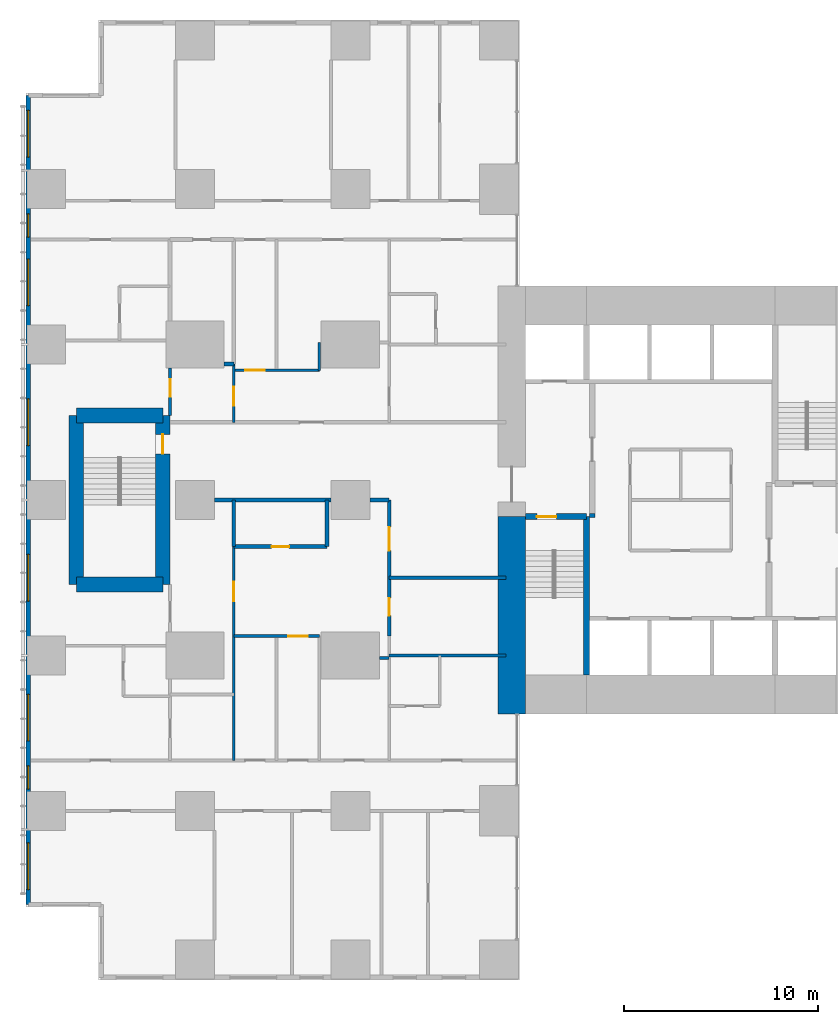
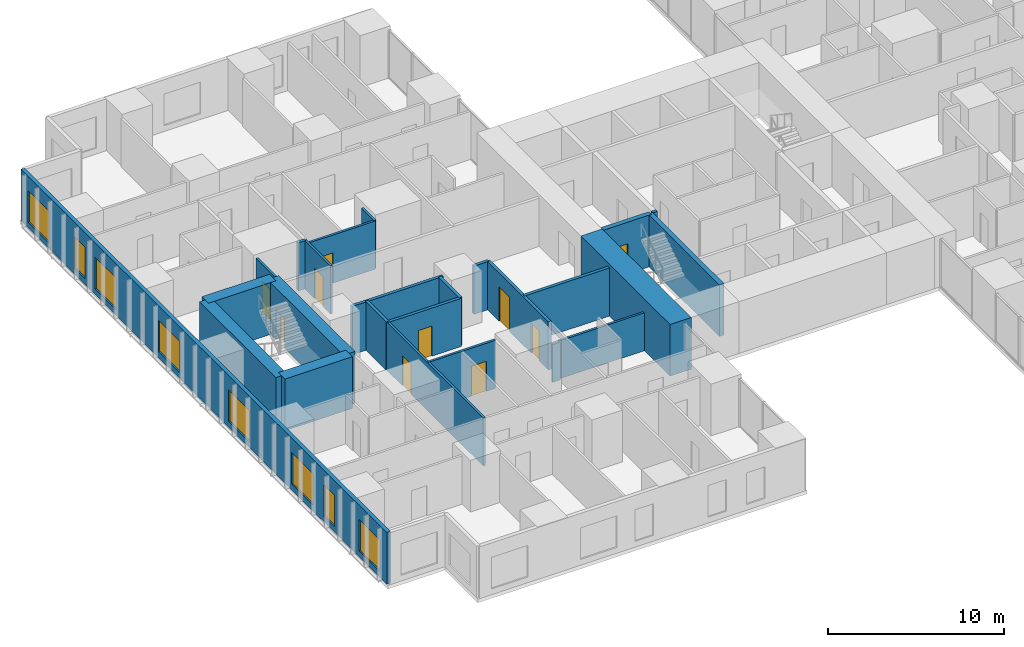
# One storey, part 13 of 20: 25 walls, 10 doors, 8 windows, 18 openings.
"""IFC4 building model written with IfcOpenShell, lengths in metres."""

from ifc_helpers import new_model, si_unit, direction, frame, frame_2d, origin, place, context, subcontext, project, spatial, rectangle, extrude, material, layer, layer_set, type_object, element, fill, save


model = new_model("IFC4")

# Units and contexts
model_context = context("Model", 3, precision=1e-05, world=origin(), true_north=direction((0.0, 1.0)))
body_context = subcontext(model_context, "Body", "Model", "MODEL_VIEW")
ifc_project = project(units=[si_unit("LENGTHUNIT", "METRE"), si_unit("AREAUNIT", "SQUARE_METRE"), si_unit("VOLUMEUNIT", "CUBIC_METRE"), si_unit("PLANEANGLEUNIT", "RADIAN"), si_unit("MASSUNIT", "GRAM", prefix="KILO")], contexts=[model_context])

# Site, building, storey
site_placement = place(None, origin())
site = spatial("IfcSite", under=ifc_project, at=site_placement, CompositionType="ELEMENT")
building_placement = place(site_placement, origin())
building = spatial("IfcBuilding", under=site, at=building_placement, Name="Cleftline Residences", CompositionType="ELEMENT")
storey_placement = place(building_placement, frame((0.0, 0.0, 135.800048828125)))
storey = spatial("IfcBuildingStorey", under=building, at=storey_placement, Name="L35", CompositionType="ELEMENT", Elevation=135.800048828125)

# Walls
ifc_material_1 = material(Name="Concrete B70", Category="concrete")
ifc_layer_1 = layer(ifc_material_1, 1.39990234375)
ifc_layer_set_1 = layer_set([ifc_layer_1], Name="CORE WALL 1400")
wall_type_1 = type_object("IfcWallType", Name="CORE WALL 1400", PredefinedType="SHEAR", material=ifc_layer_set_1)
wall_1_placement = place(storey_placement, frame((24.300048828125, 13.0, 0.0), z_axis=(0.0, 0.0, 1.0), x_axis=(0.0, 1.0, 0.0)))
element("IfcWall", 1, at=wall_1_placement, inside=storey, type_object=wall_type_1, Name="Core wall W0", PredefinedType="SHEAR", context=body_context, shape_type="SweptSolid", body=[
    extrude(rectangle(XDim=10.14990234375, YDim=1.39990234375, at=frame_2d((5.074951171875, 0.0))), origin(), (0.0, 0.0, 1.0), 3.599853515625),
])
ifc_material_2 = material(Name="Concrete B70", Category="concrete")
ifc_layer_2 = layer(ifc_material_2, 0.300048828125)
ifc_layer_set_2 = layer_set([ifc_layer_2], Name="CORE WALL 300")
wall_type_2 = type_object("IfcWallType", Name="CORE WALL 300", PredefinedType="SHEAR", material=ifc_layer_set_2)
wall_2_placement = place(storey_placement, frame((28.14990234375, 15.0, 0.0), z_axis=(0.0, 0.0, 1.0), x_axis=(0.0, 1.0, 0.0)))
element("IfcWall", 2, at=wall_2_placement, inside=storey, type_object=wall_type_2, Name="Core wall SA-E", PredefinedType="SHEAR", context=body_context, shape_type="SweptSolid", body=[
    extrude(rectangle(XDim=8.14990234375, YDim=0.300048828125, at=frame_2d((4.074951171875, 0.0))), origin(), (0.0, 0.0, 1.0), 3.599853515625),
])

# Wall, opening, door
wall_3_placement = place(storey_placement, frame((25.0, 23.14990234375, 0.0), z_axis=(0.0, 0.0, 1.0), x_axis=(1.0, 0.0, 0.0)))
wall_3 = element("IfcWall", 3, at=wall_3_placement, inside=storey, type_object=wall_type_2, Name="Core wall SA-N", PredefinedType="SHEAR", context=body_context, shape_type="SweptSolid", body=[
    extrude(rectangle(XDim=3.14990234375, YDim=0.300048828125, at=frame_2d((1.574951171875, 0.0))), origin(), (0.0, 0.0, 1.0), 3.599853515625),
])
opening_1_placement = place(wall_3_placement, frame((0.60009765625, 0.0, 0.0)))
opening_1 = element("IfcOpeningElement", 4, at=opening_1_placement, cuts=wall_3, Name="Opening D5", PredefinedType="OPENING", context=body_context, shape_type="SweptSolid", body=[
    extrude(rectangle(XDim=1.0, YDim=2.10009765625, at=frame_2d((0.5, 1.050048828125))), frame((0.0, 0.159912109375, 0.0), z_axis=(0.0, -1.0, 0.0), x_axis=(1.0, 0.0, 0.0)), (0.0, 0.0, 1.0), 0.320068359375),
])
ifc_material_3 = material(Name="Steel", Category="steel")
door_type_1 = type_object("IfcDoorType", Name="STAIR DOOR 1000X2100", OperationType="SINGLE_SWING_LEFT", PredefinedType="DOOR", material=ifc_material_3)
door_1_placement = place(opening_1_placement, origin())
door_1 = element("IfcDoor", 5, at=door_1_placement, inside=storey, type_object=door_type_1, Name="Stair A door", OperationType="SINGLE_SWING_RIGHT", OverallHeight=2.10009765625, OverallWidth=1.0, PredefinedType="DOOR", context=body_context, shape_type="SweptSolid", body=[
    extrude(rectangle(XDim=1.0, YDim=2.10009765625, at=frame_2d((0.5, 1.050048828125))), frame((0.0, 0.02490234375, 0.0), z_axis=(0.0, -1.0, 0.0), x_axis=(1.0, 0.0, 0.0)), (0.0, 0.0, 1.0), 0.050048828125),
])
fill(opening_1, door_1)

# Wall, openings, windows
ifc_material_4 = material(Name="Rendered reinforced concrete blockwork", Category="masonry")
ifc_layer_3 = layer(ifc_material_4, 0.25)
ifc_layer_set_3 = layer_set([ifc_layer_3], Name="EXTERNAL WALL 250")
wall_type_3 = type_object("IfcWallType", Name="EXTERNAL WALL 250", PredefinedType="SOLIDWALL", material=ifc_layer_set_3)
wall_4_placement = place(storey_placement, frame((-0.574951171875, 44.824951171875, 0.0), z_axis=(0.0, 0.0, 1.0), x_axis=(0.0, -1.0, 0.0)))
wall_4 = element("IfcWall", 6, at=wall_4_placement, inside=storey, type_object=wall_type_3, Name="External wall", PredefinedType="SOLIDWALL", context=body_context, shape_type="SweptSolid", body=[
    extrude(rectangle(XDim=41.64990234375, YDim=0.25, at=frame_2d((20.824951171875, 0.0))), origin(), (0.0, 0.0, 1.0), 3.599853515625),
])
opening_2_placement = place(wall_4_placement, frame((0.77490234375, 0.0, 0.39990234375)))
opening_2 = element("IfcOpeningElement", 7, at=opening_2_placement, cuts=wall_4, Name="Opening W12", PredefinedType="OPENING", context=body_context, shape_type="SweptSolid", body=[
    extrude(rectangle(XDim=2.39990234375, YDim=2.199951171875, at=frame_2d((1.199951171875, 1.10009765625))), frame((0.0, 0.135009765625, 0.0), z_axis=(0.0, -1.0, 0.0), x_axis=(1.0, 0.0, 0.0)), (0.0, 0.0, 1.0), 0.27001953125),
])
opening_3_placement = place(wall_4_placement, frame((6.10009765625, 0.0, 0.39990234375)))
opening_3 = element("IfcOpeningElement", 8, at=opening_3_placement, cuts=wall_4, Name="Opening W11", PredefinedType="OPENING", context=body_context, shape_type="SweptSolid", body=[
    extrude(rectangle(XDim=1.199951171875, YDim=2.199951171875, at=frame_2d((0.60009765625, 1.10009765625))), frame((0.0, 0.135009765625, 0.0), z_axis=(0.0, -1.0, 0.0), x_axis=(1.0, 0.0, 0.0)), (0.0, 0.0, 1.0), 0.27001953125),
])
opening_4_placement = place(wall_4_placement, frame((8.425048828125, 0.0, 0.39990234375)))
opening_4 = element("IfcOpeningElement", 9, at=opening_4_placement, cuts=wall_4, Name="Opening W12", PredefinedType="OPENING", context=body_context, shape_type="SweptSolid", body=[
    extrude(rectangle(XDim=2.39990234375, YDim=2.199951171875, at=frame_2d((1.199951171875, 1.10009765625))), frame((0.0, 0.135009765625, 0.0), z_axis=(0.0, -1.0, 0.0), x_axis=(1.0, 0.0, 0.0)), (0.0, 0.0, 1.0), 0.27001953125),
])
opening_5_placement = place(wall_4_placement, frame((15.625, 0.0, 0.39990234375)))
opening_5 = element("IfcOpeningElement", 10, at=opening_5_placement, cuts=wall_4, Name="Opening W12", PredefinedType="OPENING", context=body_context, shape_type="SweptSolid", body=[
    extrude(rectangle(XDim=2.39990234375, YDim=2.199951171875, at=frame_2d((1.199951171875, 1.10009765625))), frame((0.0, 0.135009765625, 0.0), z_axis=(0.0, -1.0, 0.0), x_axis=(1.0, 0.0, 0.0)), (0.0, 0.0, 1.0), 0.27001953125),
])
opening_6_placement = place(wall_4_placement, frame((23.625, 0.0, 0.39990234375)))
opening_6 = element("IfcOpeningElement", 11, at=opening_6_placement, cuts=wall_4, Name="Opening W12", PredefinedType="OPENING", context=body_context, shape_type="SweptSolid", body=[
    extrude(rectangle(XDim=2.39990234375, YDim=2.199951171875, at=frame_2d((1.199951171875, 1.10009765625))), frame((0.0, 0.135009765625, 0.0), z_axis=(0.0, -1.0, 0.0), x_axis=(1.0, 0.0, 0.0)), (0.0, 0.0, 1.0), 0.27001953125),
])
opening_7_placement = place(wall_4_placement, frame((30.824951171875, 0.0, 0.39990234375)))
opening_7 = element("IfcOpeningElement", 12, at=opening_7_placement, cuts=wall_4, Name="Opening W12", PredefinedType="OPENING", context=body_context, shape_type="SweptSolid", body=[
    extrude(rectangle(XDim=2.39990234375, YDim=2.199951171875, at=frame_2d((1.199951171875, 1.10009765625))), frame((0.0, 0.135009765625, 0.0), z_axis=(0.0, -1.0, 0.0), x_axis=(1.0, 0.0, 0.0)), (0.0, 0.0, 1.0), 0.27001953125),
])
opening_8_placement = place(wall_4_placement, frame((34.5, 0.0, 0.39990234375)))
opening_8 = element("IfcOpeningElement", 13, at=opening_8_placement, cuts=wall_4, Name="Opening W11", PredefinedType="OPENING", context=body_context, shape_type="SweptSolid", body=[
    extrude(rectangle(XDim=1.199951171875, YDim=2.199951171875, at=frame_2d((0.60009765625, 1.10009765625))), frame((0.0, 0.135009765625, 0.0), z_axis=(0.0, -1.0, 0.0), x_axis=(1.0, 0.0, 0.0)), (0.0, 0.0, 1.0), 0.27001953125),
])
opening_9_placement = place(wall_4_placement, frame((38.47509765625, 0.0, 0.39990234375)))
opening_9 = element("IfcOpeningElement", 14, at=opening_9_placement, cuts=wall_4, Name="Opening W12", PredefinedType="OPENING", context=body_context, shape_type="SweptSolid", body=[
    extrude(rectangle(XDim=2.39990234375, YDim=2.199951171875, at=frame_2d((1.199951171875, 1.10009765625))), frame((0.0, 0.135009765625, 0.0), z_axis=(0.0, -1.0, 0.0), x_axis=(1.0, 0.0, 0.0)), (0.0, 0.0, 1.0), 0.27001953125),
])
ifc_material_5 = material(Name="Aluminium frame, clear double glazing", Category="aluminium")
window_type_1 = type_object("IfcWindowType", Name="WINDOW 1200X2200", PartitioningType="DOUBLE_PANEL_VERTICAL", PredefinedType="WINDOW", material=ifc_material_5)
window_1_placement = place(opening_3_placement, origin())
window_1 = element("IfcWindow", 15, at=window_1_placement, inside=storey, type_object=window_type_1, Name="Window", OverallHeight=2.199951171875, OverallWidth=1.199951171875, PartitioningType="SINGLE_PANEL", PredefinedType="WINDOW", context=body_context, shape_type="SweptSolid", body=[
    extrude(rectangle(XDim=1.199951171875, YDim=2.199951171875, at=frame_2d((0.60009765625, 1.10009765625))), frame((0.0, 0.030029296875, 0.0), z_axis=(0.0, -1.0, 0.0), x_axis=(1.0, 0.0, 0.0)), (0.0, 0.0, 1.0), 0.06005859375),
])
fill(opening_3, window_1)
window_2_placement = place(opening_8_placement, origin())
window_2 = element("IfcWindow", 16, at=window_2_placement, inside=storey, type_object=window_type_1, Name="Window", OverallHeight=2.199951171875, OverallWidth=1.199951171875, PartitioningType="SINGLE_PANEL", PredefinedType="WINDOW", context=body_context, shape_type="SweptSolid", body=[
    extrude(rectangle(XDim=1.199951171875, YDim=2.199951171875, at=frame_2d((0.60009765625, 1.10009765625))), frame((0.0, 0.030029296875, 0.0), z_axis=(0.0, -1.0, 0.0), x_axis=(1.0, 0.0, 0.0)), (0.0, 0.0, 1.0), 0.06005859375),
])
fill(opening_8, window_2)
ifc_material_6 = material(Name="Aluminium frame, clear double glazing", Category="aluminium")
window_type_2 = type_object("IfcWindowType", Name="WINDOW 2400X2200", PartitioningType="DOUBLE_PANEL_VERTICAL", PredefinedType="WINDOW", material=ifc_material_6)
window_3_placement = place(opening_2_placement, origin())
window_3 = element("IfcWindow", 17, at=window_3_placement, inside=storey, type_object=window_type_2, Name="Window", OverallHeight=2.199951171875, OverallWidth=2.39990234375, PartitioningType="SINGLE_PANEL", PredefinedType="WINDOW", context=body_context, shape_type="SweptSolid", body=[
    extrude(rectangle(XDim=2.39990234375, YDim=2.199951171875, at=frame_2d((1.199951171875, 1.10009765625))), frame((0.0, 0.030029296875, 0.0), z_axis=(0.0, -1.0, 0.0), x_axis=(1.0, 0.0, 0.0)), (0.0, 0.0, 1.0), 0.06005859375),
])
fill(opening_2, window_3)
window_4_placement = place(opening_4_placement, origin())
window_4 = element("IfcWindow", 18, at=window_4_placement, inside=storey, type_object=window_type_2, Name="Window", OverallHeight=2.199951171875, OverallWidth=2.39990234375, PartitioningType="SINGLE_PANEL", PredefinedType="WINDOW", context=body_context, shape_type="SweptSolid", body=[
    extrude(rectangle(XDim=2.39990234375, YDim=2.199951171875, at=frame_2d((1.199951171875, 1.10009765625))), frame((0.0, 0.030029296875, 0.0), z_axis=(0.0, -1.0, 0.0), x_axis=(1.0, 0.0, 0.0)), (0.0, 0.0, 1.0), 0.06005859375),
])
fill(opening_4, window_4)
window_5_placement = place(opening_5_placement, origin())
window_5 = element("IfcWindow", 19, at=window_5_placement, inside=storey, type_object=window_type_2, Name="Window", OverallHeight=2.199951171875, OverallWidth=2.39990234375, PartitioningType="SINGLE_PANEL", PredefinedType="WINDOW", context=body_context, shape_type="SweptSolid", body=[
    extrude(rectangle(XDim=2.39990234375, YDim=2.199951171875, at=frame_2d((1.199951171875, 1.10009765625))), frame((0.0, 0.030029296875, 0.0), z_axis=(0.0, -1.0, 0.0), x_axis=(1.0, 0.0, 0.0)), (0.0, 0.0, 1.0), 0.06005859375),
])
fill(opening_5, window_5)
window_6_placement = place(opening_6_placement, origin())
window_6 = element("IfcWindow", 20, at=window_6_placement, inside=storey, type_object=window_type_2, Name="Window", OverallHeight=2.199951171875, OverallWidth=2.39990234375, PartitioningType="SINGLE_PANEL", PredefinedType="WINDOW", context=body_context, shape_type="SweptSolid", body=[
    extrude(rectangle(XDim=2.39990234375, YDim=2.199951171875, at=frame_2d((1.199951171875, 1.10009765625))), frame((0.0, 0.030029296875, 0.0), z_axis=(0.0, -1.0, 0.0), x_axis=(1.0, 0.0, 0.0)), (0.0, 0.0, 1.0), 0.06005859375),
])
fill(opening_6, window_6)
window_7_placement = place(opening_7_placement, origin())
window_7 = element("IfcWindow", 21, at=window_7_placement, inside=storey, type_object=window_type_2, Name="Window", OverallHeight=2.199951171875, OverallWidth=2.39990234375, PartitioningType="SINGLE_PANEL", PredefinedType="WINDOW", context=body_context, shape_type="SweptSolid", body=[
    extrude(rectangle(XDim=2.39990234375, YDim=2.199951171875, at=frame_2d((1.199951171875, 1.10009765625))), frame((0.0, 0.030029296875, 0.0), z_axis=(0.0, -1.0, 0.0), x_axis=(1.0, 0.0, 0.0)), (0.0, 0.0, 1.0), 0.06005859375),
])
fill(opening_7, window_7)
window_8_placement = place(opening_9_placement, origin())
window_8 = element("IfcWindow", 22, at=window_8_placement, inside=storey, type_object=window_type_2, Name="Window", OverallHeight=2.199951171875, OverallWidth=2.39990234375, PartitioningType="SINGLE_PANEL", PredefinedType="WINDOW", context=body_context, shape_type="SweptSolid", body=[
    extrude(rectangle(XDim=2.39990234375, YDim=2.199951171875, at=frame_2d((1.199951171875, 1.10009765625))), frame((0.0, 0.030029296875, 0.0), z_axis=(0.0, -1.0, 0.0), x_axis=(1.0, 0.0, 0.0)), (0.0, 0.0, 1.0), 0.06005859375),
])
fill(opening_9, window_8)

# Wall
ifc_material_7 = material(Name="Concrete blockwork, fire rated", Category="masonry")
ifc_layer_4 = layer(ifc_material_7, 0.199951171875)
ifc_layer_set_4 = layer_set([ifc_layer_4], Name="FIRE WALL 200")
wall_type_4 = type_object("IfcWallType", Name="FIRE WALL 200", PredefinedType="PARTITIONING", material=ifc_layer_set_4)
wall_5_placement = place(storey_placement, frame((18.0, 20.0, 0.0), z_axis=(0.0, 0.0, 1.0), x_axis=(1.0, 0.0, 0.0)))
element("IfcWall", 23, at=wall_5_placement, inside=storey, type_object=wall_type_4, Name="Fire separating wall", PredefinedType="PARTITIONING", context=body_context, shape_type="SweptSolid", body=[
    extrude(rectangle(XDim=6.0, YDim=0.199951171875, at=frame_2d((3.0, 0.0))), origin(), (0.0, 0.0, 1.0), 3.349853515625),
])

# Wall, opening, door
wall_6_placement = place(storey_placement, frame((10.0, 21.60009765625, 0.0), z_axis=(0.0, 0.0, 1.0), x_axis=(1.0, 0.0, 0.0)))
wall_6 = element("IfcWall", 24, at=wall_6_placement, inside=storey, type_object=wall_type_4, Name="Fire separating wall", PredefinedType="PARTITIONING", context=body_context, shape_type="SweptSolid", body=[
    extrude(rectangle(XDim=4.800048828125, YDim=0.199951171875, at=frame_2d((2.39990234375, 0.0))), origin(), (0.0, 0.0, 1.0), 3.349853515625),
])
opening_10_placement = place(wall_6_placement, frame((1.949951171875, 0.0, 0.0)))
opening_10 = element("IfcOpeningElement", 25, at=opening_10_placement, cuts=wall_6, Name="Opening D1F30", PredefinedType="OPENING", context=body_context, shape_type="SweptSolid", body=[
    extrude(rectangle(XDim=0.89990234375, YDim=2.10009765625, at=frame_2d((0.449951171875, 1.050048828125))), frame((0.0, 0.10986328125, 0.0), z_axis=(0.0, -1.0, 0.0), x_axis=(1.0, 0.0, 0.0)), (0.0, 0.0, 1.0), 0.219970703125),
])
ifc_material_8 = material(Name="Timber veneer on solid core", Category="wood")
door_type_2 = type_object("IfcDoorType", Name="DOOR 900X2100 EI 30", OperationType="SINGLE_SWING_LEFT", PredefinedType="DOOR", material=ifc_material_8)
door_2_placement = place(opening_10_placement, origin())
door_2 = element("IfcDoor", 26, at=door_2_placement, inside=storey, type_object=door_type_2, Name="Door to cloakroom wc", OperationType="SINGLE_SWING_LEFT", OverallHeight=2.10009765625, OverallWidth=0.89990234375, PredefinedType="DOOR", context=body_context, shape_type="SweptSolid", body=[
    extrude(rectangle(XDim=0.89990234375, YDim=2.10009765625, at=frame_2d((0.449951171875, 1.050048828125))), frame((0.0, 0.02490234375, 0.0), z_axis=(0.0, -1.0, 0.0), x_axis=(1.0, 0.0, 0.0)), (0.0, 0.0, 1.0), 0.050048828125),
])
fill(opening_10, door_2)

# Walls
wall_7_placement = place(storey_placement, frame((9.0, 24.0, 0.0), z_axis=(0.0, 0.0, 1.0), x_axis=(1.0, 0.0, 0.0)))
element("IfcWall", 27, at=wall_7_placement, inside=storey, type_object=wall_type_4, Name="Fire separating wall", PredefinedType="PARTITIONING", context=body_context, shape_type="SweptSolid", body=[
    extrude(rectangle(XDim=6.0, YDim=0.199951171875, at=frame_2d((3.0, 0.0))), origin(), (0.0, 0.0, 1.0), 3.349853515625),
])
wall_8_placement = place(storey_placement, frame((17.0, 24.0, 0.0), z_axis=(0.0, 0.0, 1.0), x_axis=(1.0, 0.0, 0.0)))
element("IfcWall", 28, at=wall_8_placement, inside=storey, type_object=wall_type_4, Name="Fire separating wall", PredefinedType="PARTITIONING", context=body_context, shape_type="SweptSolid", body=[
    extrude(rectangle(XDim=1.0, YDim=0.199951171875, at=frame_2d((0.5, 0.0))), origin(), (0.0, 0.0, 1.0), 3.349853515625),
])
wall_9_placement = place(storey_placement, frame((9.5, 31.0, 0.0), z_axis=(0.0, 0.0, 1.0), x_axis=(1.0, 0.0, 0.0)))
element("IfcWall", 29, at=wall_9_placement, inside=storey, type_object=wall_type_4, Name="Fire separating wall", PredefinedType="PARTITIONING", context=body_context, shape_type="SweptSolid", body=[
    extrude(rectangle(XDim=0.5, YDim=0.199951171875, at=frame_2d((0.25, 0.0))), origin(), (0.0, 0.0, 1.0), 3.349853515625),
])
for number, where, z_axis, x_axis, name in (
    (30, (10.0, 21.60009765625, 0.0), (0.0, 0.0, 1.0), (0.0, 1.0, 0.0), "Fire separating wall"),
    (31, (14.800048828125, 21.60009765625, 0.0), (0.0, 0.0, 1.0), (0.0, 1.0, 0.0), "Fire separating wall"),
):
    element("IfcWall", number, at=place(storey_placement, frame(where, z_axis=z_axis, x_axis=x_axis)), inside=storey, type_object=wall_type_4, Name=name, PredefinedType="PARTITIONING", context=body_context, shape_type="SweptSolid", body=[
        extrude(rectangle(XDim=2.39990234375, YDim=0.199951171875, at=frame_2d((1.199951171875, 0.0))), origin(), (0.0, 0.0, 1.0), 3.349853515625),
    ])

# Wall, openings, doors
wall_10_placement = place(storey_placement, frame((18.0, 17.0, 0.0), z_axis=(0.0, 0.0, 1.0), x_axis=(0.0, 1.0, 0.0)))
wall_10 = element("IfcWall", 32, at=wall_10_placement, inside=storey, type_object=wall_type_4, Name="Fire separating wall", PredefinedType="PARTITIONING", context=body_context, shape_type="SweptSolid", body=[
    extrude(rectangle(XDim=7.0, YDim=0.199951171875, at=frame_2d((3.5, 0.0))), origin(), (0.0, 0.0, 1.0), 3.349853515625),
])
opening_11_placement = place(wall_10_placement, frame((4.39990234375, 0.0, 0.0)))
opening_11 = element("IfcOpeningElement", 33, at=opening_11_placement, cuts=wall_10, Name="Opening D4", PredefinedType="OPENING", context=body_context, shape_type="SweptSolid", body=[
    extrude(rectangle(XDim=1.199951171875, YDim=2.39990234375, at=frame_2d((0.60009765625, 1.199951171875))), frame((0.0, 0.10986328125, 0.0), z_axis=(0.0, -1.0, 0.0), x_axis=(1.0, 0.0, 0.0)), (0.0, 0.0, 1.0), 0.219970703125),
])
opening_12_placement = place(wall_10_placement, frame((1.050048828125, 0.0, 0.0)))
opening_12 = element("IfcOpeningElement", 34, at=opening_12_placement, cuts=wall_10, Name="Opening D1F30", PredefinedType="OPENING", context=body_context, shape_type="SweptSolid", body=[
    extrude(rectangle(XDim=0.89990234375, YDim=2.10009765625, at=frame_2d((0.449951171875, 1.050048828125))), frame((0.0, 0.10986328125, 0.0), z_axis=(0.0, -1.0, 0.0), x_axis=(1.0, 0.0, 0.0)), (0.0, 0.0, 1.0), 0.219970703125),
])
ifc_material_9 = material(Name="Timber veneer on solid core", Category="wood")
door_type_3 = type_object("IfcDoorType", Name="APARTMENT ENTRANCE DOOR 1200X2400", OperationType="SINGLE_SWING_RIGHT", PredefinedType="DOOR", material=ifc_material_9)
door_3_placement = place(opening_11_placement, origin())
door_3 = element("IfcDoor", 35, at=door_3_placement, inside=storey, type_object=door_type_3, Name="Door to residence entrance foyer", OperationType="SINGLE_SWING_LEFT", OverallHeight=2.39990234375, OverallWidth=1.199951171875, PredefinedType="DOOR", context=body_context, shape_type="SweptSolid", body=[
    extrude(rectangle(XDim=1.199951171875, YDim=2.39990234375, at=frame_2d((0.60009765625, 1.199951171875))), frame((0.0, 0.02490234375, 0.0), z_axis=(0.0, -1.0, 0.0), x_axis=(1.0, 0.0, 0.0)), (0.0, 0.0, 1.0), 0.050048828125),
])
fill(opening_11, door_3)
door_4_placement = place(opening_12_placement, origin())
door_4 = element("IfcDoor", 36, at=door_4_placement, inside=storey, type_object=door_type_2, Name="Door to utility room", OperationType="SINGLE_SWING_RIGHT", OverallHeight=2.10009765625, OverallWidth=0.89990234375, PredefinedType="DOOR", context=body_context, shape_type="SweptSolid", body=[
    extrude(rectangle(XDim=0.89990234375, YDim=2.10009765625, at=frame_2d((0.449951171875, 1.050048828125))), frame((0.0, 0.02490234375, 0.0), z_axis=(0.0, -1.0, 0.0), x_axis=(1.0, 0.0, 0.0)), (0.0, 0.0, 1.0), 0.050048828125),
])
fill(opening_12, door_4)

# Walls
wall_11_placement = place(storey_placement, frame((28.300048828125, 23.199951171875, 0.0), z_axis=(0.0, 0.0, 1.0), x_axis=(1.0, 0.0, 0.0)))
element("IfcWall", 37, at=wall_11_placement, inside=storey, type_object=wall_type_4, Name="Fire separating wall", PredefinedType="PARTITIONING", context=body_context, shape_type="SweptSolid", body=[
    extrude(rectangle(XDim=0.300048828125, YDim=0.199951171875, at=frame_2d((0.14990234375, 0.0))), origin(), (0.0, 0.0, 1.0), 3.599853515625),
])
ifc_material_10 = material(Name="Gypsum board on steel studs", Category="steel")
ifc_layer_5 = layer(ifc_material_10, 0.14990234375)
ifc_layer_set_5 = layer_set([ifc_layer_5], Name="PARTITION 150")
wall_type_5 = type_object("IfcWallType", Name="PARTITION 150", PredefinedType="PARTITIONING", material=ifc_layer_set_5)
wall_12_placement = place(storey_placement, frame((17.5, 15.875, 0.0), z_axis=(0.0, 0.0, 1.0), x_axis=(1.0, 0.0, 0.0)))
element("IfcWall", 38, at=wall_12_placement, inside=storey, type_object=wall_type_5, Name="Partition", PredefinedType="PARTITIONING", context=body_context, shape_type="SweptSolid", body=[
    extrude(rectangle(XDim=0.5, YDim=0.14990234375, at=frame_2d((0.25, 0.0))), origin(), (0.0, 0.0, 1.0), 2.634033203125),
])
wall_13_placement = place(storey_placement, frame((18.0, 16.0, 0.0), z_axis=(0.0, 0.0, 1.0), x_axis=(1.0, 0.0, 0.0)))
element("IfcWall", 39, at=wall_13_placement, inside=storey, type_object=wall_type_5, Name="Partition", PredefinedType="PARTITIONING", context=body_context, shape_type="SweptSolid", body=[
    extrude(rectangle(XDim=6.0, YDim=0.14990234375, at=frame_2d((3.0, 0.0))), origin(), (0.0, 0.0, 1.0), 2.634033203125),
])

# Wall, opening, door
wall_14_placement = place(storey_placement, frame((10.0, 17.0, 0.0), z_axis=(0.0, 0.0, 1.0), x_axis=(1.0, 0.0, 0.0)))
wall_14 = element("IfcWall", 40, at=wall_14_placement, inside=storey, type_object=wall_type_5, Name="Partition", PredefinedType="PARTITIONING", context=body_context, shape_type="SweptSolid", body=[
    extrude(rectangle(XDim=4.39990234375, YDim=0.14990234375, at=frame_2d((2.199951171875, 0.0))), origin(), (0.0, 0.0, 1.0), 3.349853515625),
])
opening_13_placement = place(wall_14_placement, frame((2.800048828125, 0.0, 0.0)))
opening_13 = element("IfcOpeningElement", 41, at=opening_13_placement, cuts=wall_14, Name="Opening D2", PredefinedType="OPENING", context=body_context, shape_type="SweptSolid", body=[
    extrude(rectangle(XDim=1.0, YDim=2.10009765625, at=frame_2d((0.5, 1.050048828125))), frame((0.0, 0.0849609375, 0.0), z_axis=(0.0, -1.0, 0.0), x_axis=(1.0, 0.0, 0.0)), (0.0, 0.0, 1.0), 0.169921875),
])
ifc_material_11 = material(Name="Timber veneer on solid core", Category="wood")
door_type_4 = type_object("IfcDoorType", Name="DOOR 1000X2100", OperationType="SINGLE_SWING_LEFT", PredefinedType="DOOR", material=ifc_material_11)
door_5_placement = place(opening_13_placement, origin())
door_5 = element("IfcDoor", 42, at=door_5_placement, inside=storey, type_object=door_type_4, Name="Door to residence passage", OperationType="SINGLE_SWING_LEFT", OverallHeight=2.10009765625, OverallWidth=1.0, PredefinedType="DOOR", context=body_context, shape_type="SweptSolid", body=[
    extrude(rectangle(XDim=1.0, YDim=2.10009765625, at=frame_2d((0.5, 1.050048828125))), frame((0.0, 0.02490234375, 0.0), z_axis=(0.0, -1.0, 0.0), x_axis=(1.0, 0.0, 0.0)), (0.0, 0.0, 1.0), 0.050048828125),
])
fill(opening_13, door_5)

wall_15_placement = place(storey_placement, frame((10.0, 30.675048828125, 0.0), z_axis=(0.0, 0.0, 1.0), x_axis=(1.0, 0.0, 0.0)))
wall_15 = element("IfcWall", 43, at=wall_15_placement, inside=storey, type_object=wall_type_5, Name="Partition", PredefinedType="PARTITIONING", context=body_context, shape_type="SweptSolid", body=[
    extrude(rectangle(XDim=4.39990234375, YDim=0.14990234375, at=frame_2d((2.199951171875, 0.0))), origin(), (0.0, 0.0, 1.0), 3.349853515625),
])
opening_14_placement = place(wall_15_placement, frame((0.60009765625, 0.0, 0.0)))
opening_14 = element("IfcOpeningElement", 44, at=opening_14_placement, cuts=wall_15, Name="Opening D2", PredefinedType="OPENING", context=body_context, shape_type="SweptSolid", body=[
    extrude(rectangle(XDim=1.0, YDim=2.10009765625, at=frame_2d((0.5, 1.050048828125))), frame((0.0, 0.0849609375, 0.0), z_axis=(0.0, -1.0, 0.0), x_axis=(1.0, 0.0, 0.0)), (0.0, 0.0, 1.0), 0.169921875),
])
door_6_placement = place(opening_14_placement, origin())
door_6 = element("IfcDoor", 45, at=door_6_placement, inside=storey, type_object=door_type_4, Name="Door to residence passage", OperationType="SINGLE_SWING_RIGHT", OverallHeight=2.10009765625, OverallWidth=1.0, PredefinedType="DOOR", context=body_context, shape_type="SweptSolid", body=[
    extrude(rectangle(XDim=1.0, YDim=2.10009765625, at=frame_2d((0.5, 1.050048828125))), frame((0.0, 0.02490234375, 0.0), z_axis=(0.0, -1.0, 0.0), x_axis=(1.0, 0.0, 0.0)), (0.0, 0.0, 1.0), 0.050048828125),
])
fill(opening_14, door_6)

wall_16_placement = place(storey_placement, frame((6.72509765625, 28.35009765625, 0.0), z_axis=(0.0, 0.0, 1.0), x_axis=(0.0, 1.0, 0.0)))
wall_16 = element("IfcWall", 46, at=wall_16_placement, inside=storey, type_object=wall_type_5, Name="Partition", PredefinedType="PARTITIONING", context=body_context, shape_type="SweptSolid", body=[
    extrude(rectangle(XDim=2.449951171875, YDim=0.14990234375, at=frame_2d((1.22509765625, 0.0))), origin(), (0.0, 0.0, 1.0), 3.349853515625),
])
opening_15_placement = place(wall_16_placement, frame((0.96240234375, 0.0, 0.0)))
opening_15 = element("IfcOpeningElement", 47, at=opening_15_placement, cuts=wall_16, Name="Opening D1", PredefinedType="OPENING", context=body_context, shape_type="SweptSolid", body=[
    extrude(rectangle(XDim=0.89990234375, YDim=2.10009765625, at=frame_2d((0.449951171875, 1.050048828125))), frame((0.0, 0.0849609375, 0.0), z_axis=(0.0, -1.0, 0.0), x_axis=(1.0, 0.0, 0.0)), (0.0, 0.0, 1.0), 0.169921875),
])
ifc_material_12 = material(Name="Timber veneer on solid core", Category="wood")
door_type_5 = type_object("IfcDoorType", Name="DOOR 900X2100", OperationType="SINGLE_SWING_LEFT", PredefinedType="DOOR", material=ifc_material_12)
door_7_placement = place(opening_15_placement, origin())
door_7 = element("IfcDoor", 48, at=door_7_placement, inside=storey, type_object=door_type_5, Name="Door to drying loggia", OperationType="SINGLE_SWING_LEFT", OverallHeight=2.10009765625, OverallWidth=0.89990234375, PredefinedType="DOOR", context=body_context, shape_type="SweptSolid", body=[
    extrude(rectangle(XDim=0.89990234375, YDim=2.10009765625, at=frame_2d((0.449951171875, 1.050048828125))), frame((0.0, 0.02490234375, 0.0), z_axis=(0.0, -1.0, 0.0), x_axis=(1.0, 0.0, 0.0)), (0.0, 0.0, 1.0), 0.050048828125),
])
fill(opening_15, door_7)

wall_17_placement = place(storey_placement, frame((10.0, 10.60009765625, 0.0), z_axis=(0.0, 0.0, 1.0), x_axis=(0.0, 1.0, 0.0)))
wall_17 = element("IfcWall", 49, at=wall_17_placement, inside=storey, type_object=wall_type_5, Name="Partition", PredefinedType="PARTITIONING", context=body_context, shape_type="SweptSolid", body=[
    extrude(rectangle(XDim=11.0, YDim=0.14990234375, at=frame_2d((5.5, 0.0))), origin(), (0.0, 0.0, 1.0), 3.349853515625),
])
opening_16_placement = place(wall_17_placement, frame((8.199951171875, 0.0, 0.0)))
opening_16 = element("IfcOpeningElement", 50, at=opening_16_placement, cuts=wall_17, Name="Opening D2F30", PredefinedType="OPENING", context=body_context, shape_type="SweptSolid", body=[
    extrude(rectangle(XDim=1.0, YDim=2.10009765625, at=frame_2d((0.5, 1.050048828125))), frame((0.0, 0.0849609375, 0.0), z_axis=(0.0, -1.0, 0.0), x_axis=(1.0, 0.0, 0.0)), (0.0, 0.0, 1.0), 0.169921875),
])
ifc_material_13 = material(Name="Timber veneer on solid core", Category="wood")
door_type_6 = type_object("IfcDoorType", Name="DOOR 1000X2100 EI 30", OperationType="SINGLE_SWING_LEFT", PredefinedType="DOOR", material=ifc_material_13)
door_8_placement = place(opening_16_placement, origin())
door_8 = element("IfcDoor", 51, at=door_8_placement, inside=storey, type_object=door_type_6, Name="Door to residence lobby", OperationType="SINGLE_SWING_LEFT", OverallHeight=2.10009765625, OverallWidth=1.0, PredefinedType="DOOR", context=body_context, shape_type="SweptSolid", body=[
    extrude(rectangle(XDim=1.0, YDim=2.10009765625, at=frame_2d((0.5, 1.050048828125))), frame((0.0, 0.02490234375, 0.0), z_axis=(0.0, -1.0, 0.0), x_axis=(1.0, 0.0, 0.0)), (0.0, 0.0, 1.0), 0.050048828125),
])
fill(opening_16, door_8)

wall_18_placement = place(storey_placement, frame((10.0, 28.0, 0.0), z_axis=(0.0, 0.0, 1.0), x_axis=(0.0, 1.0, 0.0)))
wall_18 = element("IfcWall", 52, at=wall_18_placement, inside=storey, type_object=wall_type_5, Name="Partition", PredefinedType="PARTITIONING", context=body_context, shape_type="SweptSolid", body=[
    extrude(rectangle(XDim=3.0, YDim=0.14990234375, at=frame_2d((1.5, 0.0))), origin(), (0.0, 0.0, 1.0), 3.349853515625),
])
opening_17_placement = place(wall_18_placement, frame((0.83740234375, 0.0, 0.0)))
opening_17 = element("IfcOpeningElement", 53, at=opening_17_placement, cuts=wall_18, Name="Opening D2F30", PredefinedType="OPENING", context=body_context, shape_type="SweptSolid", body=[
    extrude(rectangle(XDim=1.0, YDim=2.10009765625, at=frame_2d((0.5, 1.050048828125))), frame((0.0, 0.0849609375, 0.0), z_axis=(0.0, -1.0, 0.0), x_axis=(1.0, 0.0, 0.0)), (0.0, 0.0, 1.0), 0.169921875),
])
door_9_placement = place(opening_17_placement, origin())
door_9 = element("IfcDoor", 54, at=door_9_placement, inside=storey, type_object=door_type_6, Name="Door to residence lobby", OperationType="SINGLE_SWING_RIGHT", OverallHeight=2.10009765625, OverallWidth=1.0, PredefinedType="DOOR", context=body_context, shape_type="SweptSolid", body=[
    extrude(rectangle(XDim=1.0, YDim=2.10009765625, at=frame_2d((0.5, 1.050048828125))), frame((0.0, 0.02490234375, 0.0), z_axis=(0.0, -1.0, 0.0), x_axis=(1.0, 0.0, 0.0)), (0.0, 0.0, 1.0), 0.050048828125),
])
fill(opening_17, door_9)

# Walls
wall_19_placement = place(storey_placement, frame((14.39990234375, 30.675048828125, 0.0), z_axis=(0.0, 0.0, 1.0), x_axis=(0.0, 1.0, 0.0)))
element("IfcWall", 55, at=wall_19_placement, inside=storey, type_object=wall_type_5, Name="Partition", PredefinedType="PARTITIONING", context=body_context, shape_type="SweptSolid", body=[
    extrude(rectangle(XDim=1.425048828125, YDim=0.14990234375, at=frame_2d((0.71240234375, 0.0))), origin(), (0.0, 0.0, 1.0), 3.349853515625),
])
ifc_material_14 = material(Name="Concrete B70", Category="concrete")
ifc_layer_6 = layer(ifc_material_14, 0.75)
ifc_layer_set_6 = layer_set([ifc_layer_6], Name="SHEAR WALL 750")
wall_type_6 = type_object("IfcWallType", Name="SHEAR WALL 750", PredefinedType="SHEAR", material=ifc_layer_set_6)
wall_20_placement = place(storey_placement, frame((1.89990234375, 19.64990234375, 0.0), z_axis=(0.0, 0.0, 1.0), x_axis=(1.0, 0.0, 0.0)))
element("IfcWall", 56, at=wall_20_placement, inside=storey, type_object=wall_type_6, Name="Wing shear wall", PredefinedType="SHEAR", context=body_context, shape_type="SweptSolid", body=[
    extrude(rectangle(XDim=4.4501953125, YDim=0.75, at=frame_2d((2.22509765625, 0.0))), origin(), (0.0, 0.0, 1.0), 3.599853515625),
])

# Wall, opening, door
wall_21_placement = place(storey_placement, frame((6.35009765625, 19.64990234375, 0.0), z_axis=(0.0, 0.0, 1.0), x_axis=(0.0, 1.0, 0.0)))
wall_21 = element("IfcWall", 57, at=wall_21_placement, inside=storey, type_object=wall_type_6, Name="Wing shear wall", PredefinedType="SHEAR", context=body_context, shape_type="SweptSolid", body=[
    extrude(rectangle(XDim=8.7001953125, YDim=0.75, at=frame_2d((4.35009765625, 0.0))), origin(), (0.0, 0.0, 1.0), 3.599853515625),
])
opening_18_placement = place(wall_21_placement, frame((6.72509765625, 0.0, 0.0)))
opening_18 = element("IfcOpeningElement", 58, at=opening_18_placement, cuts=wall_21, Name="Opening D5", PredefinedType="OPENING", context=body_context, shape_type="SweptSolid", body=[
    extrude(rectangle(XDim=1.0, YDim=2.10009765625, at=frame_2d((0.5, 1.050048828125))), frame((0.0, 0.385009765625, 0.0), z_axis=(0.0, -1.0, 0.0), x_axis=(1.0, 0.0, 0.0)), (0.0, 0.0, 1.0), 0.77001953125),
])
door_10_placement = place(opening_18_placement, origin())
door_10 = element("IfcDoor", 59, at=door_10_placement, inside=storey, type_object=door_type_1, Name="Stair W door", OperationType="SINGLE_SWING_LEFT", OverallHeight=2.10009765625, OverallWidth=1.0, PredefinedType="DOOR", context=body_context, shape_type="SweptSolid", body=[
    extrude(rectangle(XDim=1.0, YDim=2.10009765625, at=frame_2d((0.5, 1.050048828125))), frame((0.0, 0.02490234375, 0.0), z_axis=(0.0, -1.0, 0.0), x_axis=(1.0, 0.0, 0.0)), (0.0, 0.0, 1.0), 0.050048828125),
])
fill(opening_18, door_10)

# Walls
wall_22_placement = place(storey_placement, frame((6.35009765625, 28.35009765625, 0.0), z_axis=(0.0, 0.0, 1.0), x_axis=(-1.0, 0.0, 0.0)))
element("IfcWall", 60, at=wall_22_placement, inside=storey, type_object=wall_type_6, Name="Wing shear wall", PredefinedType="SHEAR", context=body_context, shape_type="SweptSolid", body=[
    extrude(rectangle(XDim=4.4501953125, YDim=0.75, at=frame_2d((2.22509765625, 0.0))), origin(), (0.0, 0.0, 1.0), 3.599853515625),
])
wall_23_placement = place(storey_placement, frame((1.89990234375, 28.35009765625, 0.0), z_axis=(0.0, 0.0, 1.0), x_axis=(0.0, -1.0, 0.0)))
element("IfcWall", 61, at=wall_23_placement, inside=storey, type_object=wall_type_6, Name="Wing shear wall", PredefinedType="SHEAR", context=body_context, shape_type="SweptSolid", body=[
    extrude(rectangle(XDim=8.7001953125, YDim=0.75, at=frame_2d((4.35009765625, 0.0))), origin(), (0.0, 0.0, 1.0), 3.599853515625),
])

save(model, "model.ifc")
